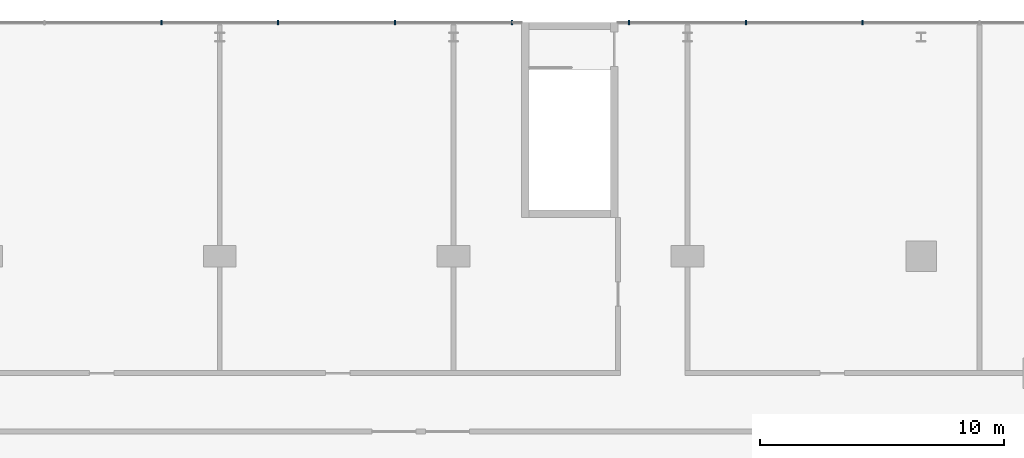
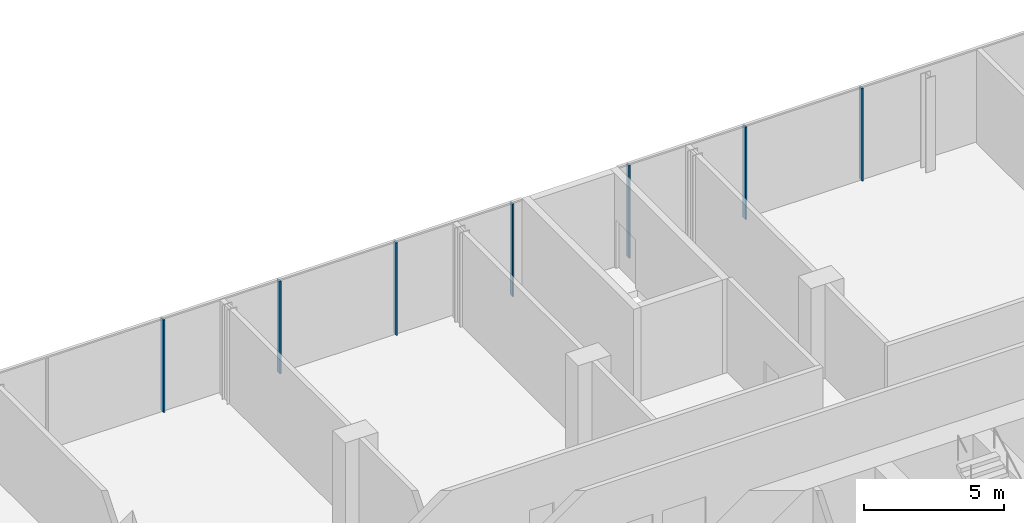
# One storey, part 17 of 32: 7 members, 1 element without a shape of its own.
"""IFC4 building model written with IfcOpenShell, lengths in metres."""

from ifc_helpers import new_model, si_unit, direction, frame, origin, origin_2d, place, context, subcontext, project, spatial, rectangle, extrude, material, layer, layer_set, material_profile, profile_set, type_object, element, aggregate, save


model = new_model("IFC4")

# Units and contexts
model_context = context("Model", 3, precision=1e-05, world=origin(), true_north=direction((0.0, 1.0)))
body_context = subcontext(model_context, "Body", "Model", "MODEL_VIEW")
ifc_project = project(units=[si_unit("LENGTHUNIT", "METRE"), si_unit("AREAUNIT", "SQUARE_METRE"), si_unit("VOLUMEUNIT", "CUBIC_METRE"), si_unit("PLANEANGLEUNIT", "RADIAN"), si_unit("MASSUNIT", "GRAM", prefix="KILO")], contexts=[model_context])

# Site, building, storey
site_placement = place(None, origin())
site = spatial("IfcSite", under=ifc_project, at=site_placement, CompositionType="ELEMENT")
building_placement = place(site_placement, origin())
building = spatial("IfcBuilding", under=site, at=building_placement, Name="Madar Terraces", CompositionType="ELEMENT")
storey_placement = place(building_placement, frame((0.0, 0.0, 19.5)))
storey = spatial("IfcBuildingStorey", under=building, at=storey_placement, Name="L04", CompositionType="ELEMENT", Elevation=19.5)

# Curtain wall, members
ifc_material_1 = material(Name="Glass, clear low-iron, with black aluminium frame", Category="aluminium")
ifc_layer = layer(ifc_material_1, 0.199951171875)
ifc_layer_set = layer_set([ifc_layer], Name="Facade curtain wall, shopfront glazing")
curtain_wall_type = type_object("IfcCurtainWallType", Name="Facade curtain wall, shopfront glazing", PredefinedType="NOTDEFINED", material=ifc_layer_set)
curtain_wall_placement = place(storey_placement, origin())
curtain_wall = element("IfcCurtainWall", 1, at=curtain_wall_placement, inside=storey, type_object=curtain_wall_type, Name="Outer skin curtain wall north bay 1", PredefinedType="NOTDEFINED")
ifc_material_2 = material(Name="Aluminium, black anodised", Category="aluminium")
ifc_material_profile = material_profile(ifc_material_2, rectangle(XDim=0.199951171875, YDim=0.06005859375, at=origin_2d()), Name="Facade mullion 60x200")
ifc_profile_set = profile_set([ifc_material_profile], Name="Aluminium, black anodised")
member_type = type_object("IfcMemberType", Name="Facade mullion 60x200", PredefinedType="MULLION", material=ifc_profile_set)
member_1_placement = place(storey_placement, frame((50.39990234375, 57.60009765625, 0.0), z_axis=(0.0, 0.0, 1.0), x_axis=(0.0, -1.0, 0.0)))
member_1 = element("IfcMember", 2, at=member_1_placement, type_object=member_type, Name="Mullion 3", PredefinedType="MULLION", context=body_context, shape_type="SweptSolid", body=[
    extrude(rectangle(XDim=0.199951171875, YDim=0.06005859375, at=origin_2d()), origin(), (0.0, 0.0, 1.0), 4.0400390625),
])
member_2_placement = place(storey_placement, frame((45.60009765625, 57.60009765625, 0.0), z_axis=(0.0, 0.0, 1.0), x_axis=(0.0, -1.0, 0.0)))
member_2 = element("IfcMember", 3, at=member_2_placement, type_object=member_type, Name="Mullion 4", PredefinedType="MULLION", context=body_context, shape_type="SweptSolid", body=[
    extrude(rectangle(XDim=0.199951171875, YDim=0.06005859375, at=origin_2d()), origin(), (0.0, 0.0, 1.0), 4.0400390625),
])
member_3_placement = place(storey_placement, frame((40.800048828125, 57.60009765625, 0.0), z_axis=(0.0, 0.0, 1.0), x_axis=(0.0, -1.0, 0.0)))
member_3 = element("IfcMember", 4, at=member_3_placement, type_object=member_type, Name="Mullion 5", PredefinedType="MULLION", context=body_context, shape_type="SweptSolid", body=[
    extrude(rectangle(XDim=0.199951171875, YDim=0.06005859375, at=origin_2d()), origin(), (0.0, 0.0, 1.0), 4.0400390625),
])
member_4_placement = place(storey_placement, frame((36.0, 57.60009765625, 0.0), z_axis=(0.0, 0.0, 1.0), x_axis=(0.0, -1.0, 0.0)))
member_4 = element("IfcMember", 5, at=member_4_placement, type_object=member_type, Name="Mullion 6", PredefinedType="MULLION", context=body_context, shape_type="SweptSolid", body=[
    extrude(rectangle(XDim=0.199951171875, YDim=0.06005859375, at=origin_2d()), origin(), (0.0, 0.0, 1.0), 4.0400390625),
])
member_5_placement = place(storey_placement, frame((31.199951171875, 57.60009765625, 0.0), z_axis=(0.0, 0.0, 1.0), x_axis=(0.0, -1.0, 0.0)))
member_5 = element("IfcMember", 6, at=member_5_placement, type_object=member_type, Name="Mullion 7", PredefinedType="MULLION", context=body_context, shape_type="SweptSolid", body=[
    extrude(rectangle(XDim=0.199951171875, YDim=0.06005859375, at=origin_2d()), origin(), (0.0, 0.0, 1.0), 4.0400390625),
])
member_6_placement = place(storey_placement, frame((26.39990234375, 57.60009765625, 0.0), z_axis=(0.0, 0.0, 1.0), x_axis=(0.0, -1.0, 0.0)))
member_6 = element("IfcMember", 7, at=member_6_placement, type_object=member_type, Name="Mullion 8", PredefinedType="MULLION", context=body_context, shape_type="SweptSolid", body=[
    extrude(rectangle(XDim=0.199951171875, YDim=0.06005859375, at=origin_2d()), origin(), (0.0, 0.0, 1.0), 4.0400390625),
])
member_7_placement = place(storey_placement, frame((21.60009765625, 57.60009765625, 0.0), z_axis=(0.0, 0.0, 1.0), x_axis=(0.0, -1.0, 0.0)))
member_7 = element("IfcMember", 8, at=member_7_placement, type_object=member_type, Name="Mullion 9", PredefinedType="MULLION", context=body_context, shape_type="SweptSolid", body=[
    extrude(rectangle(XDim=0.199951171875, YDim=0.06005859375, at=origin_2d()), origin(), (0.0, 0.0, 1.0), 4.0400390625),
])
aggregate(curtain_wall, [member_1, member_2, member_3, member_4, member_5, member_6, member_7])

save(model, "model.ifc")
